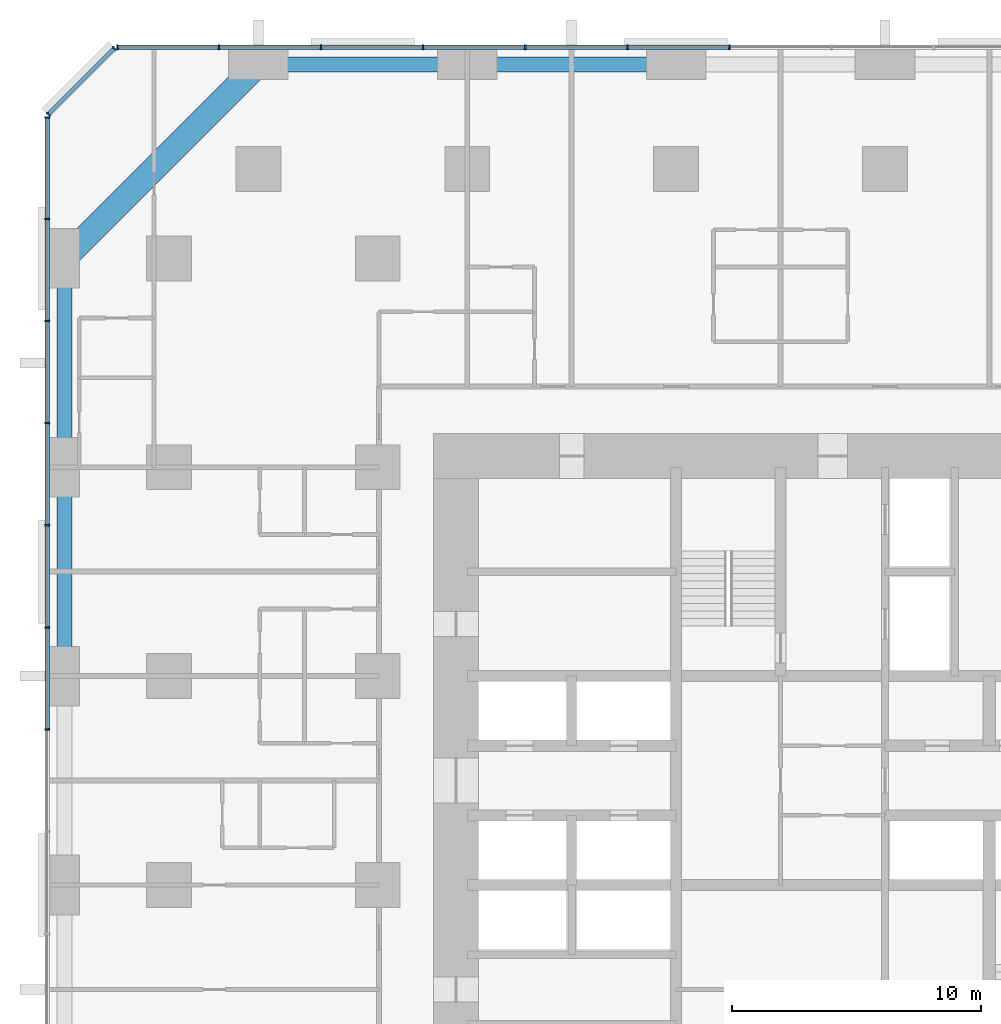
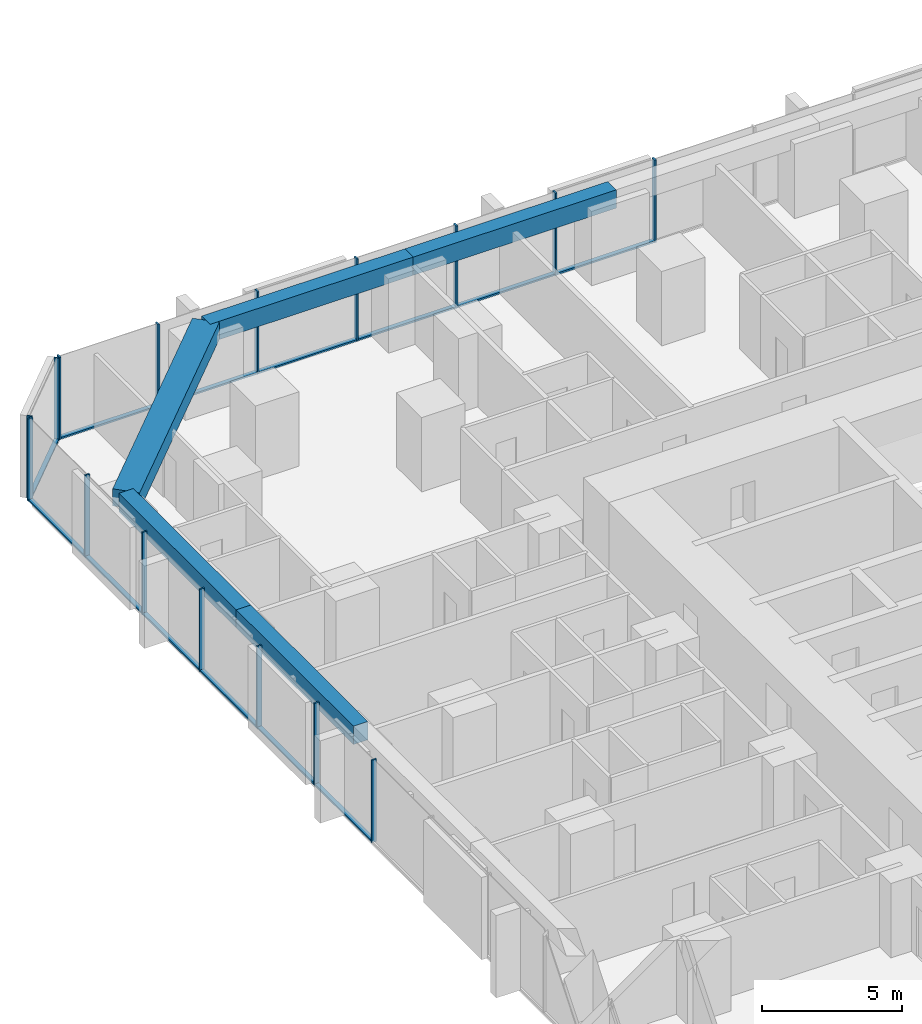
# One storey, part 6 of 17: 29 members, 5 beams, 3 elements without a shape of their own.
"""IFC4 building model written with IfcOpenShell, lengths in metres."""

from ifc_helpers import new_model, si_unit, direction, frame, origin, origin_2d, place, context, subcontext, project, spatial, rectangle, extrude, material, material_profile, profile_set, type_object, element, aggregate, save


model = new_model("IFC4")

# Units and contexts
model_context = context("Model", 3, precision=1e-05, world=origin(), true_north=direction((0.0, 1.0)))
body_context = subcontext(model_context, "Body", "Model", "MODEL_VIEW")
ifc_project = project(units=[si_unit("LENGTHUNIT", "METRE"), si_unit("AREAUNIT", "SQUARE_METRE"), si_unit("VOLUMEUNIT", "CUBIC_METRE"), si_unit("PLANEANGLEUNIT", "RADIAN"), si_unit("MASSUNIT", "GRAM", prefix="KILO")], contexts=[model_context])

# Site, building, storey
site_placement = place(None, origin())
site = spatial("IfcSite", under=ifc_project, at=site_placement, CompositionType="ELEMENT")
building_placement = place(site_placement, origin())
building = spatial("IfcBuilding", under=site, at=building_placement, Name="Dunama Terrace Hotel", CompositionType="ELEMENT")
storey_placement = place(building_placement, frame((0.0, 0.0, 41.39990234375)))
storey = spatial("IfcBuildingStorey", under=building, at=storey_placement, Name="L09", CompositionType="ELEMENT", Elevation=41.39990234375)

# Curtain wall, members
ifc_material_1 = material(Name="Aluminium curtain wall system", Category="aluminium")
curtain_wall_type = type_object("IfcCurtainWallType", Name="Unitised fritted glass wall CW-A", PredefinedType="NOTDEFINED", material=ifc_material_1)
curtain_wall_1_placement = place(storey_placement, origin())
curtain_wall_1 = element("IfcCurtainWall", 1, at=curtain_wall_1_placement, inside=storey, type_object=curtain_wall_type, Name="Unitised fritted glass wall CW-A L09", PredefinedType="NOTDEFINED")
ifc_material_2 = material(Name="Aluminium mullion", Category="aluminium")
ifc_material_profile_1 = material_profile(ifc_material_2, rectangle(XDim=0.06494140625, YDim=0.199951171875, at=origin_2d()), Name="CWA MULLION 65X200")
ifc_profile_set_1 = profile_set([ifc_material_profile_1], Name="Aluminium mullion")
member_type_1 = type_object("IfcMemberType", Name="CWA mullion 65x200", PredefinedType="MULLION", material=ifc_profile_set_1)
member_1_placement = place(storey_placement, frame((27.345947265625, 58.89990234375, 0.0), z_axis=(0.0, 0.0, 1.0), x_axis=(-1.0, 0.0, 0.0)))
member_1 = element("IfcMember", 2, at=member_1_placement, type_object=member_type_1, Name="CWA mullion", PredefinedType="MULLION", context=body_context, shape_type="SweptSolid", body=[
    extrude(rectangle(XDim=0.06494140625, YDim=0.199951171875, at=origin_2d()), origin(), (0.0, 0.0, 1.0), 3.60009765625),
])
member_2_placement = place(storey_placement, frame((23.238037109375, 58.89990234375, 0.0), z_axis=(0.0, 0.0, 1.0), x_axis=(-1.0, 0.0, 0.0)))
member_2 = element("IfcMember", 3, at=member_2_placement, type_object=member_type_1, Name="CWA mullion", PredefinedType="MULLION", context=body_context, shape_type="SweptSolid", body=[
    extrude(rectangle(XDim=0.06494140625, YDim=0.199951171875, at=origin_2d()), origin(), (0.0, 0.0, 1.0), 3.60009765625),
])
member_3_placement = place(storey_placement, frame((19.131103515625, 58.89990234375, 0.0), z_axis=(0.0, 0.0, 1.0), x_axis=(-1.0, 0.0, 0.0)))
member_3 = element("IfcMember", 4, at=member_3_placement, type_object=member_type_1, Name="CWA mullion", PredefinedType="MULLION", context=body_context, shape_type="SweptSolid", body=[
    extrude(rectangle(XDim=0.06494140625, YDim=0.199951171875, at=origin_2d()), origin(), (0.0, 0.0, 1.0), 3.60009765625),
])
member_4_placement = place(storey_placement, frame((15.02294921875, 58.89990234375, 0.0), z_axis=(0.0, 0.0, 1.0), x_axis=(-1.0, 0.0, 0.0)))
member_4 = element("IfcMember", 5, at=member_4_placement, type_object=member_type_1, Name="CWA mullion", PredefinedType="MULLION", context=body_context, shape_type="SweptSolid", body=[
    extrude(rectangle(XDim=0.06494140625, YDim=0.199951171875, at=origin_2d()), origin(), (0.0, 0.0, 1.0), 3.60009765625),
])
member_5_placement = place(storey_placement, frame((10.9150390625, 58.89990234375, 0.0), z_axis=(0.0, 0.0, 1.0), x_axis=(-1.0, 0.0, 0.0)))
member_5 = element("IfcMember", 6, at=member_5_placement, type_object=member_type_1, Name="CWA mullion", PredefinedType="MULLION", context=body_context, shape_type="SweptSolid", body=[
    extrude(rectangle(XDim=0.06494140625, YDim=0.199951171875, at=origin_2d()), origin(), (0.0, 0.0, 1.0), 3.60009765625),
])
member_6_placement = place(storey_placement, frame((6.80810546875, 58.89990234375, 0.0), z_axis=(0.0, 0.0, 1.0), x_axis=(-1.0, 0.0, 0.0)))
member_6 = element("IfcMember", 7, at=member_6_placement, type_object=member_type_1, Name="CWA mullion", PredefinedType="MULLION", context=body_context, shape_type="SweptSolid", body=[
    extrude(rectangle(XDim=0.06494140625, YDim=0.199951171875, at=origin_2d()), origin(), (0.0, 0.0, 1.0), 3.60009765625),
])
member_7_placement = place(storey_placement, frame((2.73291015625, 58.89990234375, 0.0), z_axis=(0.0, 0.0, 1.0), x_axis=(-1.0, 0.0, 0.0)))
member_7 = element("IfcMember", 8, at=member_7_placement, type_object=member_type_1, Name="CWA mullion", PredefinedType="MULLION", context=body_context, shape_type="SweptSolid", body=[
    extrude(rectangle(XDim=0.06494140625, YDim=0.199951171875, at=origin_2d()), origin(), (0.0, 0.0, 1.0), 3.60009765625),
])

curtain_wall_2_placement = place(storey_placement, origin())
curtain_wall_2 = element("IfcCurtainWall", 9, at=curtain_wall_2_placement, inside=storey, type_object=curtain_wall_type, Name="Unitised fritted glass wall CW-A L09", PredefinedType="NOTDEFINED")
member_8_placement = place(storey_placement, frame((2.60595703125, 58.847900390625, 0.0), z_axis=(0.0, 0.0, 1.0), x_axis=(-0.707106781187, -0.707106781187, 0.0)))
member_8 = element("IfcMember", 10, at=member_8_placement, type_object=member_type_1, Name="CWA mullion", PredefinedType="MULLION", context=body_context, shape_type="SweptSolid", body=[
    extrude(rectangle(XDim=0.06494140625, YDim=0.199951171875, at=origin_2d()), origin(), (0.0, 0.0, 1.0), 3.60009765625),
])
member_9_placement = place(storey_placement, frame((-0.048095703125, 56.194091796875, 0.0), z_axis=(0.0, 0.0, 1.0), x_axis=(-0.707106781187, -0.707106781187, 0.0)))
member_9 = element("IfcMember", 11, at=member_9_placement, type_object=member_type_1, Name="CWA mullion", PredefinedType="MULLION", context=body_context, shape_type="SweptSolid", body=[
    extrude(rectangle(XDim=0.06494140625, YDim=0.199951171875, at=origin_2d()), origin(), (0.0, 0.0, 1.0), 3.60009765625),
])

curtain_wall_3_placement = place(storey_placement, origin())
curtain_wall_3 = element("IfcCurtainWall", 12, at=curtain_wall_3_placement, inside=storey, type_object=curtain_wall_type, Name="Unitised fritted glass wall CW-A L09", PredefinedType="NOTDEFINED")
member_10_placement = place(storey_placement, frame((-0.10009765625, 56.06689453125, 0.0), z_axis=(0.0, 0.0, 1.0), x_axis=(0.0, -1.0, 0.0)))
member_10 = element("IfcMember", 13, at=member_10_placement, type_object=member_type_1, Name="CWA mullion", PredefinedType="MULLION", context=body_context, shape_type="SweptSolid", body=[
    extrude(rectangle(XDim=0.06494140625, YDim=0.199951171875, at=origin_2d()), origin(), (0.0, 0.0, 1.0), 3.60009765625),
])
member_11_placement = place(storey_placement, frame((-0.10009765625, 51.991943359375, 0.0), z_axis=(0.0, 0.0, 1.0), x_axis=(0.0, -1.0, 0.0)))
member_11 = element("IfcMember", 14, at=member_11_placement, type_object=member_type_1, Name="CWA mullion", PredefinedType="MULLION", context=body_context, shape_type="SweptSolid", body=[
    extrude(rectangle(XDim=0.06494140625, YDim=0.199951171875, at=origin_2d()), origin(), (0.0, 0.0, 1.0), 3.60009765625),
])
member_12_placement = place(storey_placement, frame((-0.10009765625, 47.885009765625, 0.0), z_axis=(0.0, 0.0, 1.0), x_axis=(0.0, -1.0, 0.0)))
member_12 = element("IfcMember", 15, at=member_12_placement, type_object=member_type_1, Name="CWA mullion", PredefinedType="MULLION", context=body_context, shape_type="SweptSolid", body=[
    extrude(rectangle(XDim=0.06494140625, YDim=0.199951171875, at=origin_2d()), origin(), (0.0, 0.0, 1.0), 3.60009765625),
])
member_13_placement = place(storey_placement, frame((-0.10009765625, 43.777099609375, 0.0), z_axis=(0.0, 0.0, 1.0), x_axis=(0.0, -1.0, 0.0)))
member_13 = element("IfcMember", 16, at=member_13_placement, type_object=member_type_1, Name="CWA mullion", PredefinedType="MULLION", context=body_context, shape_type="SweptSolid", body=[
    extrude(rectangle(XDim=0.06494140625, YDim=0.199951171875, at=origin_2d()), origin(), (0.0, 0.0, 1.0), 3.60009765625),
])
member_14_placement = place(storey_placement, frame((-0.10009765625, 39.6689453125, 0.0), z_axis=(0.0, 0.0, 1.0), x_axis=(0.0, -1.0, 0.0)))
member_14 = element("IfcMember", 17, at=member_14_placement, type_object=member_type_1, Name="CWA mullion", PredefinedType="MULLION", context=body_context, shape_type="SweptSolid", body=[
    extrude(rectangle(XDim=0.06494140625, YDim=0.199951171875, at=origin_2d()), origin(), (0.0, 0.0, 1.0), 3.60009765625),
])
member_15_placement = place(storey_placement, frame((-0.10009765625, 35.56201171875, 0.0), z_axis=(0.0, 0.0, 1.0), x_axis=(0.0, -1.0, 0.0)))
member_15 = element("IfcMember", 18, at=member_15_placement, type_object=member_type_1, Name="CWA mullion", PredefinedType="MULLION", context=body_context, shape_type="SweptSolid", body=[
    extrude(rectangle(XDim=0.06494140625, YDim=0.199951171875, at=origin_2d()), origin(), (0.0, 0.0, 1.0), 3.60009765625),
])
member_16_placement = place(storey_placement, frame((-0.10009765625, 31.4541015625, 0.0), z_axis=(0.0, 0.0, 1.0), x_axis=(0.0, -1.0, 0.0)))
member_16 = element("IfcMember", 19, at=member_16_placement, type_object=member_type_1, Name="CWA mullion", PredefinedType="MULLION", context=body_context, shape_type="SweptSolid", body=[
    extrude(rectangle(XDim=0.06494140625, YDim=0.199951171875, at=origin_2d()), origin(), (0.0, 0.0, 1.0), 3.60009765625),
])

# Member
ifc_material_3 = material(Name="Aluminium transom", Category="aluminium")
ifc_material_profile_2 = material_profile(ifc_material_3, rectangle(XDim=0.179931640625, YDim=0.074951171875, at=origin_2d()), Name="CWA TRANSOM 180X75")
ifc_profile_set_2 = profile_set([ifc_material_profile_2], Name="Aluminium transom")
member_type_2 = type_object("IfcMemberType", Name="CWA transom 180x75", PredefinedType="USERDEFINED", material=ifc_profile_set_2)
member_17_placement = place(storey_placement, frame((27.31396484375, 58.89990234375, 0.03759765625), z_axis=(-1.0, 0.0, 0.0), x_axis=(0.0, -1.0, 0.0)))
member_17 = element("IfcMember", 20, at=member_17_placement, type_object=member_type_2, Name="CWA transom", ObjectType="TRANSOM", PredefinedType="USERDEFINED", context=body_context, shape_type="SweptSolid", body=[
    extrude(rectangle(XDim=0.179931640625, YDim=0.074951171875, at=origin_2d()), origin(), (0.0, 0.0, 1.0), 4.04296875),
])

member_18_placement = place(storey_placement, frame((23.2060546875, 58.89990234375, 0.03759765625), z_axis=(-1.0, 0.0, 0.0), x_axis=(0.0, -1.0, 0.0)))
member_18 = element("IfcMember", 21, at=member_18_placement, type_object=member_type_2, Name="CWA transom", ObjectType="TRANSOM", PredefinedType="USERDEFINED", context=body_context, shape_type="SweptSolid", body=[
    extrude(rectangle(XDim=0.179931640625, YDim=0.074951171875, at=origin_2d()), origin(), (0.0, 0.0, 1.0), 4.04296875),
])

member_19_placement = place(storey_placement, frame((19.097900390625, 58.89990234375, 0.03759765625), z_axis=(-1.0, 0.0, 0.0), x_axis=(0.0, -1.0, 0.0)))
member_19 = element("IfcMember", 22, at=member_19_placement, type_object=member_type_2, Name="CWA transom", ObjectType="TRANSOM", PredefinedType="USERDEFINED", context=body_context, shape_type="SweptSolid", body=[
    extrude(rectangle(XDim=0.179931640625, YDim=0.074951171875, at=origin_2d()), origin(), (0.0, 0.0, 1.0), 4.0419921875),
])

member_20_placement = place(storey_placement, frame((14.990966796875, 58.89990234375, 0.03759765625), z_axis=(-1.0, 0.0, 0.0), x_axis=(0.0, -1.0, 0.0)))
member_20 = element("IfcMember", 23, at=member_20_placement, type_object=member_type_2, Name="CWA transom", ObjectType="TRANSOM", PredefinedType="USERDEFINED", context=body_context, shape_type="SweptSolid", body=[
    extrude(rectangle(XDim=0.179931640625, YDim=0.074951171875, at=origin_2d()), origin(), (0.0, 0.0, 1.0), 4.04296875),
])

member_21_placement = place(storey_placement, frame((10.883056640625, 58.89990234375, 0.03759765625), z_axis=(-1.0, 0.0, 0.0), x_axis=(0.0, -1.0, 0.0)))
member_21 = element("IfcMember", 24, at=member_21_placement, type_object=member_type_2, Name="CWA transom", ObjectType="TRANSOM", PredefinedType="USERDEFINED", context=body_context, shape_type="SweptSolid", body=[
    extrude(rectangle(XDim=0.179931640625, YDim=0.074951171875, at=origin_2d()), origin(), (0.0, 0.0, 1.0), 4.04296875),
])

member_22_placement = place(storey_placement, frame((6.77490234375, 58.89990234375, 0.03759765625), z_axis=(-1.0, 0.0, 0.0), x_axis=(0.0, -1.0, 0.0)))
member_22 = element("IfcMember", 25, at=member_22_placement, type_object=member_type_2, Name="CWA transom", ObjectType="TRANSOM", PredefinedType="USERDEFINED", context=body_context, shape_type="SweptSolid", body=[
    extrude(rectangle(XDim=0.179931640625, YDim=0.074951171875, at=origin_2d()), origin(), (0.0, 0.0, 1.0), 4.010009765625),
])

aggregate(curtain_wall_1, [member_1, member_2, member_3, member_4, member_5, member_6, member_7, member_17, member_18, member_19, member_20, member_21, member_22])

member_23_placement = place(storey_placement, frame((2.5830078125, 58.824951171875, 0.03759765625), z_axis=(-0.707106781187, -0.707106781187, 0.0), x_axis=(0.707106781187, -0.707106781187, 0.0)))
member_23 = element("IfcMember", 26, at=member_23_placement, type_object=member_type_2, Name="CWA transom", ObjectType="TRANSOM", PredefinedType="USERDEFINED", context=body_context, shape_type="SweptSolid", body=[
    extrude(rectangle(XDim=0.179931640625, YDim=0.074951171875, at=origin_2d()), origin(), (0.0, 0.0, 1.0), 3.688232421875),
])

aggregate(curtain_wall_2, [member_8, member_9, member_23])

member_24_placement = place(storey_placement, frame((-0.10009765625, 56.034912109375, 0.03759765625), z_axis=(0.0, -1.0, 0.0), x_axis=(1.0, 0.0, 0.0)))
member_24 = element("IfcMember", 27, at=member_24_placement, type_object=member_type_2, Name="CWA transom", ObjectType="TRANSOM", PredefinedType="USERDEFINED", context=body_context, shape_type="SweptSolid", body=[
    extrude(rectangle(XDim=0.179931640625, YDim=0.074951171875, at=origin_2d()), origin(), (0.0, 0.0, 1.0), 4.010009765625),
])

member_25_placement = place(storey_placement, frame((-0.10009765625, 51.9599609375, 0.03759765625), z_axis=(0.0, -1.0, 0.0), x_axis=(1.0, 0.0, 0.0)))
member_25 = element("IfcMember", 28, at=member_25_placement, type_object=member_type_2, Name="CWA transom", ObjectType="TRANSOM", PredefinedType="USERDEFINED", context=body_context, shape_type="SweptSolid", body=[
    extrude(rectangle(XDim=0.179931640625, YDim=0.074951171875, at=origin_2d()), origin(), (0.0, 0.0, 1.0), 4.04296875),
])

member_26_placement = place(storey_placement, frame((-0.10009765625, 47.85205078125, 0.03759765625), z_axis=(0.0, -1.0, 0.0), x_axis=(1.0, 0.0, 0.0)))
member_26 = element("IfcMember", 29, at=member_26_placement, type_object=member_type_2, Name="CWA transom", ObjectType="TRANSOM", PredefinedType="USERDEFINED", context=body_context, shape_type="SweptSolid", body=[
    extrude(rectangle(XDim=0.179931640625, YDim=0.074951171875, at=origin_2d()), origin(), (0.0, 0.0, 1.0), 4.04296875),
])

member_27_placement = place(storey_placement, frame((-0.10009765625, 43.743896484375, 0.03759765625), z_axis=(0.0, -1.0, 0.0), x_axis=(1.0, 0.0, 0.0)))
member_27 = element("IfcMember", 30, at=member_27_placement, type_object=member_type_2, Name="CWA transom", ObjectType="TRANSOM", PredefinedType="USERDEFINED", context=body_context, shape_type="SweptSolid", body=[
    extrude(rectangle(XDim=0.179931640625, YDim=0.074951171875, at=origin_2d()), origin(), (0.0, 0.0, 1.0), 4.0419921875),
])

member_28_placement = place(storey_placement, frame((-0.10009765625, 39.636962890625, 0.03759765625), z_axis=(0.0, -1.0, 0.0), x_axis=(1.0, 0.0, 0.0)))
member_28 = element("IfcMember", 31, at=member_28_placement, type_object=member_type_2, Name="CWA transom", ObjectType="TRANSOM", PredefinedType="USERDEFINED", context=body_context, shape_type="SweptSolid", body=[
    extrude(rectangle(XDim=0.179931640625, YDim=0.074951171875, at=origin_2d()), origin(), (0.0, 0.0, 1.0), 4.04296875),
])

member_29_placement = place(storey_placement, frame((-0.10009765625, 35.529052734375, 0.03759765625), z_axis=(0.0, -1.0, 0.0), x_axis=(1.0, 0.0, 0.0)))
member_29 = element("IfcMember", 32, at=member_29_placement, type_object=member_type_2, Name="CWA transom", ObjectType="TRANSOM", PredefinedType="USERDEFINED", context=body_context, shape_type="SweptSolid", body=[
    extrude(rectangle(XDim=0.179931640625, YDim=0.074951171875, at=origin_2d()), origin(), (0.0, 0.0, 1.0), 4.04296875),
])

aggregate(curtain_wall_3, [member_10, member_11, member_12, member_13, member_14, member_15, member_16, member_24, member_25, member_26, member_27, member_28, member_29])

# Beams
ifc_material_4 = material(Name="Concrete C50/60", Category="concrete")
ifc_material_profile_3 = material_profile(ifc_material_4, rectangle(XDim=1.0, YDim=0.75, at=origin_2d()), Name="RC 1000x750")
ifc_profile_set_3 = profile_set([ifc_material_profile_3], Name="Concrete C50/60")
beam_type_1 = type_object("IfcBeamType", Name="Edge beam RC 1000x750", PredefinedType="SPANDREL", material=ifc_profile_set_3)
beam_1_placement = place(storey_placement, frame((8.39990234375, 58.199951171875, 3.22509765625), z_axis=(-0.707095714747, -0.707117847453, 0.0), x_axis=(0.707117847453, -0.707095714747, 0.0)))
element("IfcBeam", 33, at=beam_1_placement, inside=storey, type_object=beam_type_1, Name="Corner edge beam under L10", PredefinedType="SPANDREL", context=body_context, shape_type="SweptSolid", body=[
    extrude(rectangle(XDim=1.0, YDim=0.75, at=origin_2d()), origin(), (0.0, 0.0, 1.0), 11.03076171875),
])
ifc_material_5 = material(Name="Concrete C40/50", Category="concrete")
ifc_material_profile_4 = material_profile(ifc_material_5, rectangle(XDim=0.60009765625, YDim=0.800048828125, at=origin_2d()), Name="RC 600x800")
ifc_profile_set_4 = profile_set([ifc_material_profile_4], Name="Concrete C40/50")
beam_type_2 = type_object("IfcBeamType", Name="Edge beam RC 600x800", PredefinedType="SPANDREL", material=ifc_profile_set_4)
for number, where, z_axis, x_axis, name in (
    (34, (0.60009765625, 33.60009765625, 3.2001953125), (0.0, 1.0, 0.0), (-1.0, 0.0, 0.0), "Edge beam under L10"),
    (35, (0.60009765625, 42.0, 3.2001953125), (0.0, 1.0, 0.0), (-1.0, 0.0, 0.0), "Edge beam under L10"),
):
    element("IfcBeam", number, at=place(storey_placement, frame(where, z_axis=z_axis, x_axis=x_axis)), inside=storey, type_object=beam_type_2, Name=name, PredefinedType="SPANDREL", context=body_context, shape_type="SweptSolid", body=[
        extrude(rectangle(XDim=0.60009765625, YDim=0.800048828125, at=origin_2d()), origin(), (0.0, 0.0, 1.0), 8.39990234375),
    ])
beam_2_placement = place(storey_placement, frame((8.39990234375, 58.199951171875, 3.2001953125), z_axis=(1.0, 0.0, 0.0), x_axis=(0.0, 1.0, 0.0)))
element("IfcBeam", 36, at=beam_2_placement, inside=storey, type_object=beam_type_2, Name="Edge beam under L10", PredefinedType="SPANDREL", context=body_context, shape_type="SweptSolid", body=[
    extrude(rectangle(XDim=0.60009765625, YDim=0.800048828125, at=origin_2d()), origin(), (0.0, 0.0, 1.0), 8.400146484375),
])
beam_3_placement = place(storey_placement, frame((16.800048828125, 58.199951171875, 3.2001953125), z_axis=(1.0, 0.0, 0.0), x_axis=(0.0, 1.0, 0.0)))
element("IfcBeam", 37, at=beam_3_placement, inside=storey, type_object=beam_type_2, Name="Edge beam under L10", PredefinedType="SPANDREL", context=body_context, shape_type="SweptSolid", body=[
    extrude(rectangle(XDim=0.60009765625, YDim=0.800048828125, at=origin_2d()), origin(), (0.0, 0.0, 1.0), 8.39990234375),
])

save(model, "model.ifc")
